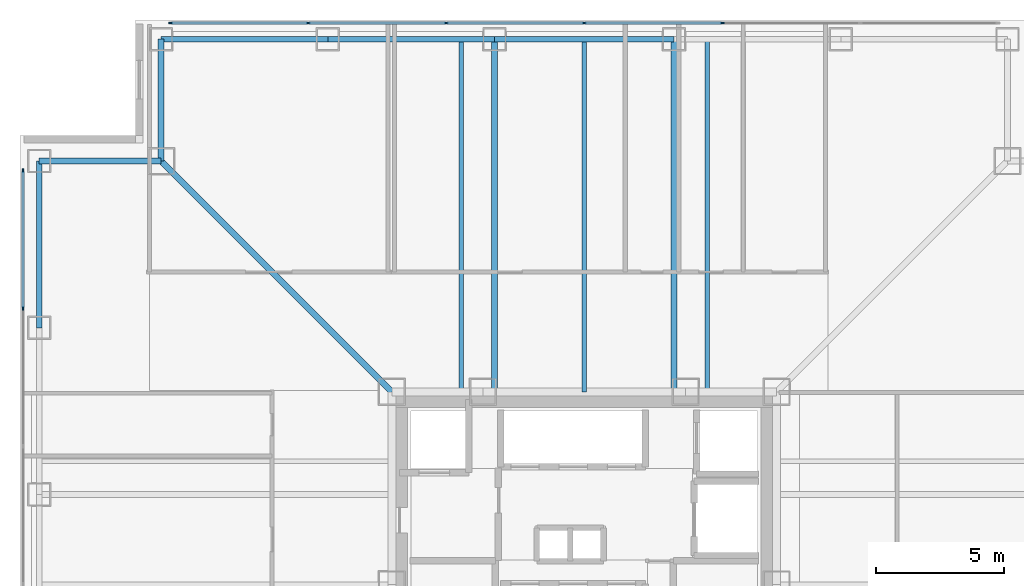
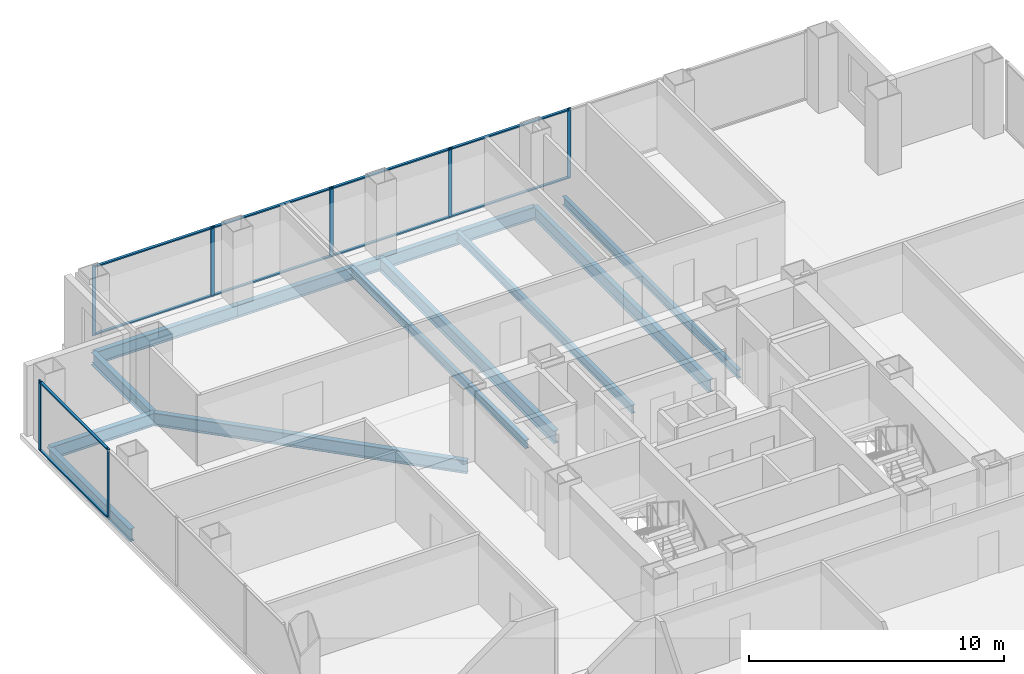
# One storey, part 7 of 14: 17 members, 12 beams, 2 elements without a shape of their own.
"""IFC4 building model written with IfcOpenShell, lengths in metres."""

from ifc_helpers import new_model, si_unit, direction, frame, origin, origin_2d, place, context, subcontext, project, spatial, rectangle, i_section, extrude, material, layer, layer_set, material_profile, profile_set, type_object, element, aggregate, save


model = new_model("IFC4")

# Units and contexts
model_context = context("Model", 3, precision=1e-05, world=origin(), true_north=direction((0.0, 1.0)))
body_context = subcontext(model_context, "Body", "Model", "MODEL_VIEW")
ifc_project = project(units=[si_unit("LENGTHUNIT", "METRE"), si_unit("AREAUNIT", "SQUARE_METRE"), si_unit("VOLUMEUNIT", "CUBIC_METRE"), si_unit("PLANEANGLEUNIT", "RADIAN"), si_unit("MASSUNIT", "GRAM", prefix="KILO")], contexts=[model_context])

# Site, building, storey
site_placement = place(None, origin())
site = spatial("IfcSite", under=ifc_project, at=site_placement, CompositionType="ELEMENT")
building_placement = place(site_placement, origin())
building = spatial("IfcBuilding", under=site, at=building_placement, Name="Trevonay Congress Spire", CompositionType="ELEMENT")
storey_placement = place(building_placement, frame((0.0, 0.0, 97.60009765625)))
storey = spatial("IfcBuildingStorey", under=building, at=storey_placement, Name="L24", CompositionType="ELEMENT", Elevation=97.60009765625)

# Beams
ifc_material_1 = material(Name="Steel ASTM A572 Grade 50", Category="steel")
ifc_material_profile_1 = material_profile(ifc_material_1, i_section(OverallWidth=0.22998046875, OverallDepth=0.616943359375, WebThickness=0.01318359375, FlangeThickness=0.022216796875, FilletRadius=0.01611328125, at=origin_2d()), Name="W610x140")
ifc_profile_set_1 = profile_set([ifc_material_profile_1], Name="Steel ASTM A572 Grade 50")
beam_type_1 = type_object("IfcBeamType", Name="BM-GIRD-W610X140", PredefinedType="BEAM", material=ifc_profile_set_1)
beam_1_placement = place(storey_placement, frame((-7.5, 7.5, -0.548583984375), z_axis=(-0.707106781187, 0.707106781187, 0.0), x_axis=(-0.707106781187, -0.707106781187, 0.0)))
element("IfcBeam", 1, at=beam_1_placement, inside=storey, type_object=beam_type_1, Name="L24 structural beam BM-L24-CDNW", PredefinedType="BEAM", context=body_context, shape_type="SweptSolid", body=[
    extrude(i_section(OverallWidth=0.22998046875, OverallDepth=0.616943359375, WebThickness=0.01318359375, FlangeThickness=0.022216796875, FilletRadius=0.01611328125, at=origin_2d()), origin(), (0.0, 0.0, 1.0), 12.72802734375),
])
for number, where, z_axis, x_axis, name in (
    (2, (-3.5, 7.5, -0.548583984375), (0.0, 1.0, 0.0), (-1.0, 0.0, 0.0), "L24 structural beam BM-L24-GN-M"),
    (3, (3.5, 7.5, -0.548583984375), (0.0, 1.0, 0.0), (-1.0, 0.0, 0.0), "L24 structural beam BM-L24-GN-P"),
):
    element("IfcBeam", number, at=place(storey_placement, frame(where, z_axis=z_axis, x_axis=x_axis)), inside=storey, type_object=beam_type_1, Name=name, PredefinedType="BEAM", context=body_context, shape_type="SweptSolid", body=[
        extrude(i_section(OverallWidth=0.22998046875, OverallDepth=0.616943359375, WebThickness=0.01318359375, FlangeThickness=0.022216796875, FilletRadius=0.01611328125, at=origin_2d()), origin(), (0.0, 0.0, 1.0), 13.75),
    ])
ifc_material_profile_2 = material_profile(ifc_material_1, i_section(OverallWidth=0.22802734375, OverallDepth=0.60791015625, WebThickness=0.01123046875, FlangeThickness=0.017333984375, FilletRadius=0.01611328125, at=origin_2d()), Name="W610x113")
ifc_profile_set_2 = profile_set([ifc_material_profile_2], Name="Steel ASTM A572 Grade 50")
beam_type_2 = type_object("IfcBeamType", Name="BM-RING-W610X113", PredefinedType="BEAM", material=ifc_profile_set_2)
for number, where, z_axis, x_axis, name in (
    (4, (-16.5, 21.25, -0.544189453125), (1.0, 0.0, 0.0), (0.0, 1.0, 0.0), "L24 structural beam BM-L24-PN1"),
    (5, (-10.0, 21.25, -0.544189453125), (1.0, 0.0, 0.0), (0.0, 1.0, 0.0), "L24 structural beam BM-L24-PN2"),
):
    element("IfcBeam", number, at=place(storey_placement, frame(where, z_axis=z_axis, x_axis=x_axis)), inside=storey, type_object=beam_type_2, Name=name, PredefinedType="BEAM", context=body_context, shape_type="SweptSolid", body=[
        extrude(i_section(OverallWidth=0.22802734375, OverallDepth=0.60791015625, WebThickness=0.01123046875, FlangeThickness=0.017333984375, FilletRadius=0.01611328125, at=origin_2d()), origin(), (0.0, 0.0, 1.0), 6.5),
    ])
beam_2_placement = place(storey_placement, frame((-3.5, 21.25, -0.544189453125), z_axis=(1.0, 0.0, 0.0), x_axis=(0.0, 1.0, 0.0)))
element("IfcBeam", 6, at=beam_2_placement, inside=storey, type_object=beam_type_2, Name="L24 structural beam BM-L24-PN3", PredefinedType="BEAM", context=body_context, shape_type="SweptSolid", body=[
    extrude(i_section(OverallWidth=0.22802734375, OverallDepth=0.60791015625, WebThickness=0.01123046875, FlangeThickness=0.017333984375, FilletRadius=0.01611328125, at=origin_2d()), origin(), (0.0, 0.0, 1.0), 7.0),
])
beam_3_placement = place(storey_placement, frame((-21.25, 10.0, -0.544189453125), z_axis=(0.0, 1.0, 0.0), x_axis=(-1.0, 0.0, 0.0)))
element("IfcBeam", 7, at=beam_3_placement, inside=storey, type_object=beam_type_2, Name="L24 structural beam BM-L24-PW5", PredefinedType="BEAM", context=body_context, shape_type="SweptSolid", body=[
    extrude(i_section(OverallWidth=0.22802734375, OverallDepth=0.60791015625, WebThickness=0.01123046875, FlangeThickness=0.017333984375, FilletRadius=0.01611328125, at=origin_2d()), origin(), (0.0, 0.0, 1.0), 6.5),
])
for number, where, z_axis, x_axis, name in (
    (8, (-16.5, 21.25, -0.544189453125), (0.0, -1.0, 0.0), (1.0, 0.0, 0.0), "L24 structural beam BM-L24-N1NW"),
    (9, (-21.25, 16.5, -0.544189453125), (1.0, 0.0, 0.0), (0.0, 1.0, 0.0), "L24 structural beam BM-L24-N2NW"),
):
    element("IfcBeam", number, at=place(storey_placement, frame(where, z_axis=z_axis, x_axis=x_axis)), inside=storey, type_object=beam_type_2, Name=name, PredefinedType="BEAM", context=body_context, shape_type="SweptSolid", body=[
        extrude(i_section(OverallWidth=0.22802734375, OverallDepth=0.60791015625, WebThickness=0.01123046875, FlangeThickness=0.017333984375, FilletRadius=0.01611328125, at=origin_2d()), origin(), (0.0, 0.0, 1.0), 4.75),
    ])

# Curtain wall, members
ifc_material_2 = material(Name="Pale Anodised Aluminium EN AW-6063-T6", Category="aluminium")
ifc_layer = layer(ifc_material_2, 0.175048828125, Name="Pale Anodised Aluminium EN AW-6063-T6")
ifc_layer_set = layer_set([ifc_layer], Name="Pale Anodised Aluminium EN AW-6063-T6")
curtain_wall_type = type_object("IfcCurtainWallType", Name="CW-SYS03-CONGRESS-PALE-METAL", PredefinedType="NOTDEFINED", material=ifc_layer_set)
curtain_wall_1_placement = place(storey_placement, origin())
curtain_wall_1 = element("IfcCurtainWall", 10, at=curtain_wall_1_placement, inside=storey, type_object=curtain_wall_type, Name="L24 N unitised curtain wall", PredefinedType="NOTDEFINED")
ifc_material_profile_3 = material_profile(ifc_material_2, rectangle(XDim=0.06005859375, YDim=0.159912109375, at=origin_2d()), Name="CW-MULLION-160-ALUMINIUM")
ifc_profile_set_3 = profile_set([ifc_material_profile_3], Name="Pale Anodised Aluminium EN AW-6063-T6")
member_type_1 = type_object("IfcMemberType", Name="CW-MULLION-160-ALUMINIUM", PredefinedType="MULLION", material=ifc_profile_set_3)
member_1_placement = place(storey_placement, frame((-16.1201171875, 21.8798828125, 0.0), z_axis=(0.0, 0.0, 1.0), x_axis=(0.0, 1.0, 0.0)))
member_1 = element("IfcMember", 11, at=member_1_placement, type_object=member_type_1, Name="CW03 mullion 1", PredefinedType="MULLION", context=body_context, shape_type="SweptSolid", body=[
    extrude(rectangle(XDim=0.06005859375, YDim=0.159912109375, at=origin_2d()), origin(), (0.0, 0.0, 1.0), 3.35986328125),
])
member_2_placement = place(storey_placement, frame((-10.7666015625, 21.8798828125, 0.0), z_axis=(0.0, 0.0, 1.0), x_axis=(0.0, 1.0, 0.0)))
member_2 = element("IfcMember", 12, at=member_2_placement, type_object=member_type_1, Name="CW03 mullion 2", PredefinedType="MULLION", context=body_context, shape_type="SweptSolid", body=[
    extrude(rectangle(XDim=0.06005859375, YDim=0.159912109375, at=origin_2d()), origin(), (0.0, 0.0, 1.0), 3.35986328125),
])
member_3_placement = place(storey_placement, frame((-5.38330078125, 21.8798828125, 0.0), z_axis=(0.0, 0.0, 1.0), x_axis=(0.0, 1.0, 0.0)))
member_3 = element("IfcMember", 13, at=member_3_placement, type_object=member_type_1, Name="CW03 mullion 3", PredefinedType="MULLION", context=body_context, shape_type="SweptSolid", body=[
    extrude(rectangle(XDim=0.06005859375, YDim=0.159912109375, at=origin_2d()), origin(), (0.0, 0.0, 1.0), 3.35986328125),
])
member_4_placement = place(storey_placement, frame((0.0, 21.8798828125, 0.0), z_axis=(0.0, 0.0, 1.0), x_axis=(0.0, 1.0, 0.0)))
member_4 = element("IfcMember", 14, at=member_4_placement, type_object=member_type_1, Name="CW03 mullion 4", PredefinedType="MULLION", context=body_context, shape_type="SweptSolid", body=[
    extrude(rectangle(XDim=0.06005859375, YDim=0.159912109375, at=origin_2d()), origin(), (0.0, 0.0, 1.0), 3.35986328125),
])
member_5_placement = place(storey_placement, frame((5.38330078125, 21.8798828125, 0.0), z_axis=(0.0, 0.0, 1.0), x_axis=(0.0, 1.0, 0.0)))
member_5 = element("IfcMember", 15, at=member_5_placement, type_object=member_type_1, Name="CW03 mullion 5", PredefinedType="MULLION", context=body_context, shape_type="SweptSolid", body=[
    extrude(rectangle(XDim=0.06005859375, YDim=0.159912109375, at=origin_2d()), origin(), (0.0, 0.0, 1.0), 3.35986328125),
])

curtain_wall_2_placement = place(storey_placement, origin())
curtain_wall_2 = element("IfcCurtainWall", 16, at=curtain_wall_2_placement, inside=storey, type_object=curtain_wall_type, Name="L24 W unitised curtain wall", PredefinedType="NOTDEFINED")
member_6_placement = place(storey_placement, frame((-21.8798828125, 10.7666015625, 0.0), z_axis=(0.0, 0.0, 1.0), x_axis=(-1.0, 0.0, 0.0)))
member_6 = element("IfcMember", 17, at=member_6_placement, type_object=member_type_1, Name="CW03 mullion 6", PredefinedType="MULLION", context=body_context, shape_type="SweptSolid", body=[
    extrude(rectangle(XDim=0.06005859375, YDim=0.159912109375, at=origin_2d()), origin(), (0.0, 0.0, 1.0), 3.35986328125),
])
member_7_placement = place(storey_placement, frame((-21.8798828125, 16.1201171875, 0.0), z_axis=(0.0, 0.0, 1.0), x_axis=(-1.0, 0.0, 0.0)))
member_7 = element("IfcMember", 18, at=member_7_placement, type_object=member_type_1, Name="CW03 mullion 7", PredefinedType="MULLION", context=body_context, shape_type="SweptSolid", body=[
    extrude(rectangle(XDim=0.06005859375, YDim=0.159912109375, at=origin_2d()), origin(), (0.0, 0.0, 1.0), 3.35986328125),
])

# Member
ifc_material_profile_4 = material_profile(ifc_material_2, rectangle(XDim=0.1201171875, YDim=0.06005859375, at=origin_2d()), Name="CW-TRANSOM-120-ALUMINIUM")
ifc_profile_set_4 = profile_set([ifc_material_profile_4], Name="Pale Anodised Aluminium EN AW-6063-T6")
member_type_2 = type_object("IfcMemberType", Name="CW-TRANSOM-120-ALUMINIUM", PredefinedType="USERDEFINED", material=ifc_profile_set_4)
member_8_placement = place(storey_placement, frame((-16.090087890625, 21.8798828125, 0.059814453125), z_axis=(1.0, 0.0, 0.0), x_axis=(0.0, 1.0, 0.0)))
member_8 = element("IfcMember", 19, at=member_8_placement, type_object=member_type_2, Name="CW03 transom 1.1", ObjectType="TRANSOM", PredefinedType="USERDEFINED", context=body_context, shape_type="SweptSolid", body=[
    extrude(rectangle(XDim=0.1201171875, YDim=0.06005859375, at=origin_2d()), origin(), (0.0, 0.0, 1.0), 5.29345703125),
])

member_9_placement = place(storey_placement, frame((-16.090087890625, 21.8798828125, 3.2998046875), z_axis=(1.0, 0.0, 0.0), x_axis=(0.0, 1.0, 0.0)))
member_9 = element("IfcMember", 20, at=member_9_placement, type_object=member_type_2, Name="CW03 transom 1.2", ObjectType="TRANSOM", PredefinedType="USERDEFINED", context=body_context, shape_type="SweptSolid", body=[
    extrude(rectangle(XDim=0.1201171875, YDim=0.06005859375, at=origin_2d()), origin(), (0.0, 0.0, 1.0), 5.29345703125),
])

member_10_placement = place(storey_placement, frame((-10.736572265625, 21.8798828125, 0.059814453125), z_axis=(1.0, 0.0, 0.0), x_axis=(0.0, 1.0, 0.0)))
member_10 = element("IfcMember", 21, at=member_10_placement, type_object=member_type_2, Name="CW03 transom 2.1", ObjectType="TRANSOM", PredefinedType="USERDEFINED", context=body_context, shape_type="SweptSolid", body=[
    extrude(rectangle(XDim=0.1201171875, YDim=0.06005859375, at=origin_2d()), origin(), (0.0, 0.0, 1.0), 5.3232421875),
])

member_11_placement = place(storey_placement, frame((-10.736572265625, 21.8798828125, 3.2998046875), z_axis=(1.0, 0.0, 0.0), x_axis=(0.0, 1.0, 0.0)))
member_11 = element("IfcMember", 22, at=member_11_placement, type_object=member_type_2, Name="CW03 transom 2.2", ObjectType="TRANSOM", PredefinedType="USERDEFINED", context=body_context, shape_type="SweptSolid", body=[
    extrude(rectangle(XDim=0.1201171875, YDim=0.06005859375, at=origin_2d()), origin(), (0.0, 0.0, 1.0), 5.3232421875),
])

member_12_placement = place(storey_placement, frame((-5.353271484375, 21.8798828125, 0.059814453125), z_axis=(1.0, 0.0, 0.0), x_axis=(0.0, 1.0, 0.0)))
member_12 = element("IfcMember", 23, at=member_12_placement, type_object=member_type_2, Name="CW03 transom 3.1", ObjectType="TRANSOM", PredefinedType="USERDEFINED", context=body_context, shape_type="SweptSolid", body=[
    extrude(rectangle(XDim=0.1201171875, YDim=0.06005859375, at=origin_2d()), origin(), (0.0, 0.0, 1.0), 5.3232421875),
])

member_13_placement = place(storey_placement, frame((-5.353271484375, 21.8798828125, 3.2998046875), z_axis=(1.0, 0.0, 0.0), x_axis=(0.0, 1.0, 0.0)))
member_13 = element("IfcMember", 24, at=member_13_placement, type_object=member_type_2, Name="CW03 transom 3.2", ObjectType="TRANSOM", PredefinedType="USERDEFINED", context=body_context, shape_type="SweptSolid", body=[
    extrude(rectangle(XDim=0.1201171875, YDim=0.06005859375, at=origin_2d()), origin(), (0.0, 0.0, 1.0), 5.3232421875),
])

member_14_placement = place(storey_placement, frame((0.030029296875, 21.8798828125, 0.059814453125), z_axis=(1.0, 0.0, 0.0), x_axis=(0.0, 1.0, 0.0)))
member_14 = element("IfcMember", 25, at=member_14_placement, type_object=member_type_2, Name="CW03 transom 4.1", ObjectType="TRANSOM", PredefinedType="USERDEFINED", context=body_context, shape_type="SweptSolid", body=[
    extrude(rectangle(XDim=0.1201171875, YDim=0.06005859375, at=origin_2d()), origin(), (0.0, 0.0, 1.0), 5.3232421875),
])

member_15_placement = place(storey_placement, frame((0.030029296875, 21.8798828125, 3.2998046875), z_axis=(1.0, 0.0, 0.0), x_axis=(0.0, 1.0, 0.0)))
member_15 = element("IfcMember", 26, at=member_15_placement, type_object=member_type_2, Name="CW03 transom 4.2", ObjectType="TRANSOM", PredefinedType="USERDEFINED", context=body_context, shape_type="SweptSolid", body=[
    extrude(rectangle(XDim=0.1201171875, YDim=0.06005859375, at=origin_2d()), origin(), (0.0, 0.0, 1.0), 5.3232421875),
])

aggregate(curtain_wall_1, [member_1, member_2, member_3, member_4, member_5, member_8, member_9, member_10, member_11, member_12, member_13, member_14, member_15])

member_16_placement = place(storey_placement, frame((-21.8798828125, 10.796630859375, 0.059814453125), z_axis=(0.0, 1.0, 0.0), x_axis=(-1.0, 0.0, 0.0)))
member_16 = element("IfcMember", 27, at=member_16_placement, type_object=member_type_2, Name="CW03 transom 6.1", ObjectType="TRANSOM", PredefinedType="USERDEFINED", context=body_context, shape_type="SweptSolid", body=[
    extrude(rectangle(XDim=0.1201171875, YDim=0.06005859375, at=origin_2d()), origin(), (0.0, 0.0, 1.0), 5.29345703125),
])

member_17_placement = place(storey_placement, frame((-21.8798828125, 10.796630859375, 3.2998046875), z_axis=(0.0, 1.0, 0.0), x_axis=(-1.0, 0.0, 0.0)))
member_17 = element("IfcMember", 28, at=member_17_placement, type_object=member_type_2, Name="CW03 transom 6.2", ObjectType="TRANSOM", PredefinedType="USERDEFINED", context=body_context, shape_type="SweptSolid", body=[
    extrude(rectangle(XDim=0.1201171875, YDim=0.06005859375, at=origin_2d()), origin(), (0.0, 0.0, 1.0), 5.29345703125),
])

aggregate(curtain_wall_2, [member_6, member_7, member_16, member_17])

# Beams
ifc_material_profile_5 = material_profile(ifc_material_1, i_section(OverallWidth=0.177978515625, OverallDepth=0.406982421875, WebThickness=0.0078125, FlangeThickness=0.0126953125, FilletRadius=0.012939453125, at=origin_2d()), Name="W410x60")
ifc_profile_set_5 = profile_set([ifc_material_profile_5], Name="Steel ASTM A572 Grade 50")
beam_type_3 = type_object("IfcBeamType", Name="JS-COMP-W410X60", PredefinedType="JOIST", material=ifc_profile_set_5)
for number, where, z_axis, x_axis, name in (
    (29, (-4.800048828125, 7.5, -0.443603515625), (0.0, 1.0, 0.0), (-1.0, 0.0, 0.0), "L24 structural beam JS-L24-NS-N1"),
    (30, (0.0, 7.5, -0.443603515625), (0.0, 1.0, 0.0), (-1.0, 0.0, 0.0), "L24 structural beam JS-L24-NS-N2"),
    (31, (4.800048828125, 7.5, -0.443603515625), (0.0, 1.0, 0.0), (-1.0, 0.0, 0.0), "L24 structural beam JS-L24-NS-N3"),
):
    element("IfcBeam", number, at=place(storey_placement, frame(where, z_axis=z_axis, x_axis=x_axis)), inside=storey, type_object=beam_type_3, Name=name, PredefinedType="JOIST", context=body_context, shape_type="SweptSolid", body=[
        extrude(i_section(OverallWidth=0.177978515625, OverallDepth=0.406982421875, WebThickness=0.0078125, FlangeThickness=0.0126953125, FilletRadius=0.012939453125, at=origin_2d()), origin(), (0.0, 0.0, 1.0), 13.75),
    ])

save(model, "model.ifc")
